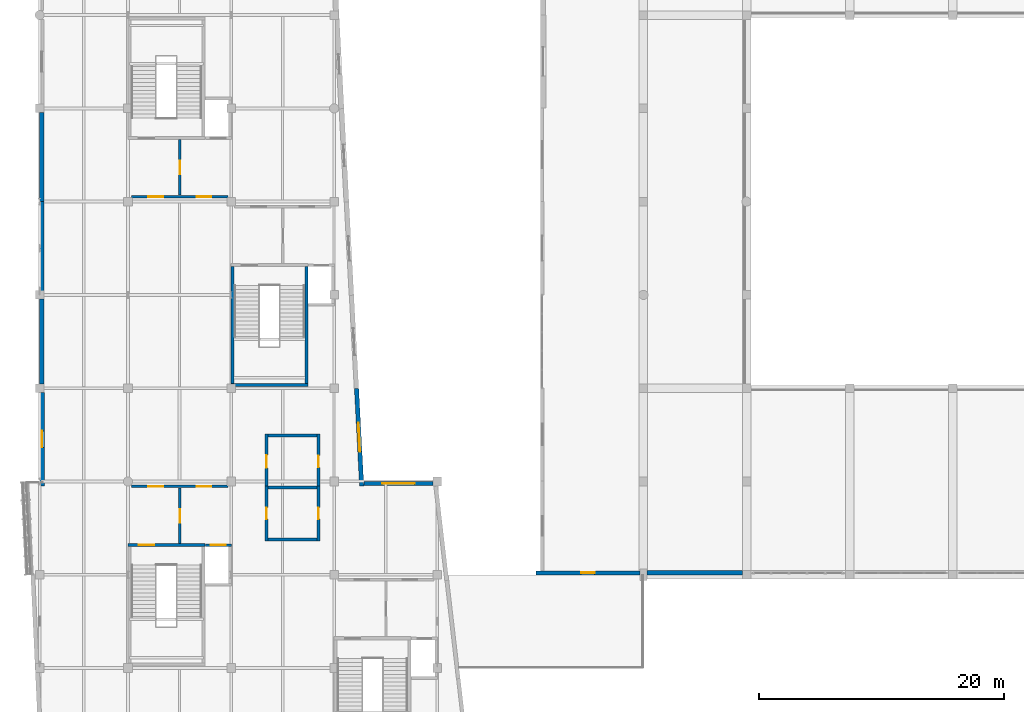
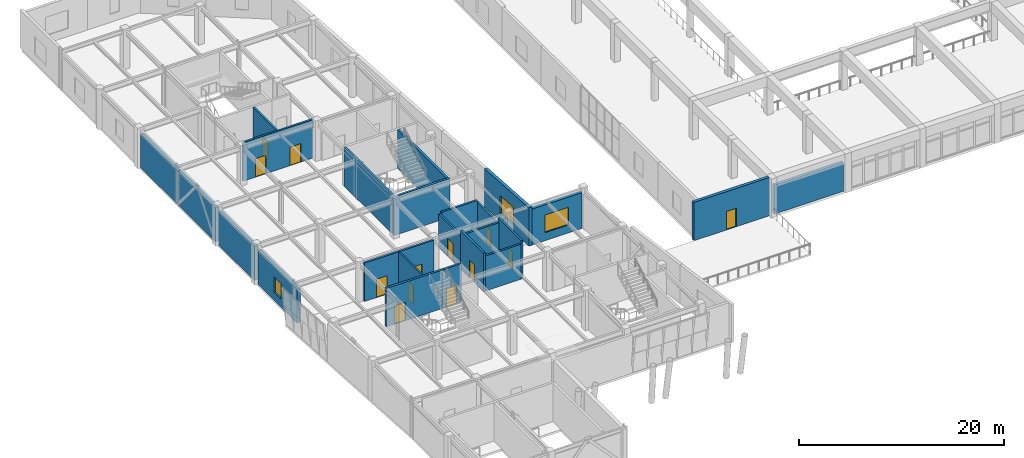
# One storey, part 62 of 72: 24 walls, 13 doors, 3 windows, 16 openings.
"""IFC4 building model written with IfcOpenShell, lengths in metres."""

from ifc_helpers import new_model, si_unit, direction, frame, frame_2d, origin, place, context, subcontext, project, spatial, rectangle, extrude, material, layer, layer_set, type_object, element, fill, save


model = new_model("IFC4")

# Units and contexts
model_context = context("Model", 3, precision=1e-05, world=origin(), true_north=direction((0.0, 1.0)))
body_context = subcontext(model_context, "Body", "Model", "MODEL_VIEW")
ifc_project = project(units=[si_unit("LENGTHUNIT", "METRE"), si_unit("AREAUNIT", "SQUARE_METRE"), si_unit("VOLUMEUNIT", "CUBIC_METRE"), si_unit("PLANEANGLEUNIT", "RADIAN"), si_unit("MASSUNIT", "GRAM", prefix="KILO")], contexts=[model_context])

# Site, building, storey
site_placement = place(None, origin())
site = spatial("IfcSite", under=ifc_project, at=site_placement, CompositionType="ELEMENT")
building_placement = place(site_placement, origin())
building = spatial("IfcBuilding", under=site, at=building_placement, Name="Xicomal Pleat Aquarium", CompositionType="ELEMENT")
storey_placement = place(building_placement, frame((0.0, 0.0, 10.5)))
storey = spatial("IfcBuildingStorey", under=building, at=storey_placement, Name="L03", CompositionType="ELEMENT", Elevation=10.5)

# Wall, opening, door
ifc_material_1 = material(Name="Concrete C40/50", Category="concrete")
ifc_layer_1 = layer(ifc_material_1, 0.219970703125)
ifc_layer_set_1 = layer_set([ifc_layer_1], Name="Concrete C40/50")
wall_type_1 = type_object("IfcWallType", Name="WAL-COR-220", PredefinedType="SHEAR", material=ifc_layer_set_1)
wall_1_placement = place(storey_placement, frame((16.5, 32.81005859375, 0.0), z_axis=(0.0, 0.0, 1.0), x_axis=(1.0, 0.0, 0.0)))
wall_1 = element("IfcWall", 1, at=wall_1_placement, inside=storey, type_object=wall_type_1, Name="L03 LF-01 lift shaft wall CW-L03-C1-LN", PredefinedType="SHEAR", context=body_context, shape_type="SweptSolid", body=[
    extrude(rectangle(XDim=2.1201171875, YDim=0.219970703125, at=frame_2d((1.06005859375, 0.0))), origin(), (0.0, 0.0, 1.0), 4.574951171875),
])
opening_1_placement = place(wall_1_placement, frame((0.4599609375, 0.0, 0.0)))
opening_1 = element("IfcOpeningElement", 2, at=opening_1_placement, cuts=wall_1, Name="Opening LD-01-L03", PredefinedType="OPENING", context=body_context, shape_type="SweptSolid", body=[
    extrude(rectangle(XDim=1.199951171875, YDim=2.199951171875, at=frame_2d((0.60009765625, 1.10009765625))), frame((0.0, 0.119873046875, 0.0), z_axis=(0.0, -1.0, 0.0), x_axis=(1.0, 0.0, 0.0)), (0.0, 0.0, 1.0), 0.239990234375),
])
ifc_material_2 = material(Name="Brushed stainless steel 304", Category="steel")
door_type_1 = type_object("IfcDoorType", Name="DOR-LD-1200x2200", OperationType="DOUBLE_DOOR_SLIDING", PredefinedType="DOOR", material=ifc_material_2)
door_1_placement = place(opening_1_placement, origin())
door_1 = element("IfcDoor", 3, at=door_1_placement, inside=storey, type_object=door_type_1, Name="L03 LF-01 sliding lift landing door", OperationType="DOUBLE_DOOR_SLIDING", OverallHeight=2.199951171875, OverallWidth=1.199951171875, PredefinedType="DOOR", context=body_context, shape_type="SweptSolid", body=[
    extrude(rectangle(XDim=1.199951171875, YDim=2.199951171875, at=frame_2d((0.60009765625, 1.10009765625))), frame((0.0, 0.02490234375, 0.0), z_axis=(0.0, -1.0, 0.0), x_axis=(1.0, 0.0, 0.0)), (0.0, 0.0, 1.0), 0.050048828125),
])
fill(opening_1, door_1)

ifc_material_3 = material(Name="Concrete C40/50", Category="concrete")
ifc_layer_2 = layer(ifc_material_3, 0.25)
ifc_layer_set_2 = layer_set([ifc_layer_2], Name="Concrete C40/50")
wall_type_2 = type_object("IfcWallType", Name="WAL-COR-250", PredefinedType="SHEAR", material=ifc_layer_set_2)
wall_2_placement = place(storey_placement, frame((10.18994140625, 32.824951171875, 0.0), z_axis=(0.0, 0.0, 1.0), x_axis=(1.0, 0.0, 0.0)))
wall_2 = element("IfcWall", 4, at=wall_2_placement, inside=storey, type_object=wall_type_2, Name="L03 CORE-1 stair shear wall CW-L03-C1-SN", PredefinedType="SHEAR", context=body_context, shape_type="SweptSolid", body=[
    extrude(rectangle(XDim=6.280029296875, YDim=0.25, at=frame_2d((3.14013671875, 0.0))), origin(), (0.0, 0.0, 1.0), 4.574951171875),
])
opening_2_placement = place(wall_2_placement, frame((0.89990234375, 0.0, 0.0)))
opening_2 = element("IfcOpeningElement", 5, at=opening_2_placement, cuts=wall_2, Name="Opening SD-01-L03", PredefinedType="OPENING", context=body_context, shape_type="SweptSolid", body=[
    extrude(rectangle(XDim=1.25, YDim=2.199951171875, at=frame_2d((0.625, 1.10009765625))), frame((0.0, 0.135009765625, 0.0), z_axis=(0.0, -1.0, 0.0), x_axis=(1.0, 0.0, 0.0)), (0.0, 0.0, 1.0), 0.27001953125),
])
ifc_material_4 = material(Name="Powder-coated steel fire door", Category="steel")
door_type_2 = type_object("IfcDoorType", Name="DOR-ST-1250x2200", OperationType="NOTDEFINED", PredefinedType="DOOR", material=ifc_material_4)
door_2_placement = place(opening_2_placement, origin())
door_2 = element("IfcDoor", 6, at=door_2_placement, inside=storey, type_object=door_type_2, Name="L03 ST-01 protected stair door", OperationType="SINGLE_SWING_LEFT", OverallHeight=2.199951171875, OverallWidth=1.25, PredefinedType="DOOR", context=body_context, shape_type="SweptSolid", body=[
    extrude(rectangle(XDim=1.25, YDim=2.199951171875, at=frame_2d((0.625, 1.10009765625))), frame((0.0, 0.02490234375, 0.0), z_axis=(0.0, -1.0, 0.0), x_axis=(1.0, 0.0, 0.0)), (0.0, 0.0, 1.0), 0.050048828125),
])
fill(opening_2, door_2)

# Walls
wall_3_placement = place(storey_placement, frame((18.590087890625, 45.875, 0.0), z_axis=(0.0, 0.0, 1.0), x_axis=(1.0, 0.0, 0.0)))
element("IfcWall", 7, at=wall_3_placement, inside=storey, type_object=wall_type_2, Name="L03 CORE-4 stair shear wall CW-L03-C4-SS", PredefinedType="SHEAR", context=body_context, shape_type="SweptSolid", body=[
    extrude(rectangle(XDim=6.280029296875, YDim=0.25, at=frame_2d((3.14013671875, 0.0))), origin(), (0.0, 0.0, 1.0), 4.590087890625),
])
for number, where, z_axis, x_axis, name in (
    (8, (18.715087890625, 46.0, 0.0), (0.0, 0.0, 1.0), (0.0, 1.0, 0.0), "L03 CORE-4 stair shear wall CW-L03-C4-SW"),
    (9, (24.7451171875, 46.0, 0.0), (0.0, 0.0, 1.0), (0.0, 1.0, 0.0), "L03 CORE-4 stair shear wall CW-L03-C4-SE"),
):
    element("IfcWall", number, at=place(storey_placement, frame(where, z_axis=z_axis, x_axis=x_axis)), inside=storey, type_object=wall_type_2, Name=name, PredefinedType="SHEAR", context=body_context, shape_type="SweptSolid", body=[
        extrude(rectangle(XDim=9.5, YDim=0.25, at=frame_2d((4.75, 0.0))), origin(), (0.0, 0.0, 1.0), 4.590087890625),
    ])
ifc_material_5 = material(Name="Volcanic basalt recinto masonry and concrete C40/50", Category="masonry")
ifc_layer_3 = layer(ifc_material_5, 0.35009765625)
ifc_layer_set_3 = layer_set([ifc_layer_3], Name="Volcanic basalt recinto masonry and concrete C40/50")
wall_type_3 = type_object("IfcWallType", Name="WAL-EXT-BAS-350", PredefinedType="SOLIDWALL", material=ifc_layer_set_3)
wall_4_placement = place(storey_placement, frame((3.175048828125, 60.820068359375, 0.0), z_axis=(0.0, 0.0, 1.0), x_axis=(0.0, 1.0, 0.0)))
element("IfcWall", 10, at=wall_4_placement, inside=storey, type_object=wall_type_3, Name="L03 exterior basalt-precast wall EW-L03-067", PredefinedType="SOLIDWALL", context=body_context, shape_type="SweptSolid", body=[
    extrude(rectangle(XDim=7.244873046875, YDim=0.35009765625, at=frame_2d((3.62255859375, 0.0))), origin(), (0.0, 0.0, 1.0), 4.041015625),
])

# Wall, opening, window
wall_5_placement = place(storey_placement, frame((28.825927734375, 45.570068359375, 0.0), z_axis=(0.0, 0.0, 1.0), x_axis=(0.05257495145, -0.998616980869, 0.0)))
wall_5 = element("IfcWall", 11, at=wall_5_placement, inside=storey, type_object=wall_type_3, Name="L03 exterior basalt-precast wall EW-L03-080", PredefinedType="SOLIDWALL", context=body_context, shape_type="SweptSolid", body=[
    extrude(rectangle(XDim=7.949951171875, YDim=0.35009765625, at=frame_2d((3.97509765625, 0.0))), origin(), (0.0, 0.0, 1.0), 4.56005859375),
])
opening_3_placement = place(wall_5_placement, frame((2.800048828125, 0.0, 0.949951171875)))
opening_3 = element("IfcOpeningElement", 12, at=opening_3_placement, cuts=wall_5, Name="Opening WN-22", PredefinedType="OPENING", context=body_context, shape_type="SweptSolid", body=[
    extrude(rectangle(XDim=2.35009765625, YDim=2.050048828125, at=frame_2d((1.175048828125, 1.02490234375))), frame((0.0, 0.18505859375, 0.0), z_axis=(0.0, -1.0, 0.0), x_axis=(1.0, 0.0, 0.0)), (0.0, 0.0, 1.0), 0.3701171875),
])
ifc_material_6 = material(Name="Insulated low-E laminated glass", Category="glass")
window_type_1 = type_object("IfcWindowType", Name="WIN-EXT-2350x2050", PartitioningType="DOUBLE_PANEL_VERTICAL", PredefinedType="WINDOW", material=ifc_material_6)
window_1_placement = place(opening_3_placement, origin())
window_1 = element("IfcWindow", 13, at=window_1_placement, inside=storey, type_object=window_type_1, Name="L03 thermally broken low-E window 46", OverallHeight=2.050048828125, OverallWidth=2.35009765625, PartitioningType="SINGLE_PANEL", PredefinedType="WINDOW", context=body_context, shape_type="SweptSolid", body=[
    extrude(rectangle(XDim=2.35009765625, YDim=2.050048828125, at=frame_2d((1.175048828125, 1.02490234375))), frame((0.0, 0.030029296875, 0.0), z_axis=(0.0, -1.0, 0.0), x_axis=(1.0, 0.0, 0.0)), (0.0, 0.0, 1.0), 0.06005859375),
])
fill(opening_3, window_1)

# Walls
ifc_material_7 = material(Name="Volcanic basalt recinto masonry and concrete C40/50", Category="masonry")
ifc_layer_4 = layer(ifc_material_7, 0.364990234375)
ifc_layer_set_4 = layer_set([ifc_layer_4], Name="Volcanic basalt recinto masonry and concrete C40/50")
wall_type_4 = type_object("IfcWallType", Name="WAL-EXT-BAS-365", PredefinedType="SOLIDWALL", material=ifc_layer_set_4)
wall_6_placement = place(storey_placement, frame((3.18310546875, 53.534912109375, 0.0), z_axis=(0.0, 0.0, 1.0), x_axis=(0.0, 1.0, 0.0)))
element("IfcWall", 14, at=wall_6_placement, inside=storey, type_object=wall_type_4, Name="L03 exterior basalt-precast wall EW-L03-066", PredefinedType="SOLIDWALL", context=body_context, shape_type="SweptSolid", body=[
    extrude(rectangle(XDim=7.28515625, YDim=0.364990234375, at=frame_2d((3.642578125, 0.0))), origin(), (0.0, 0.0, 1.0), 4.041015625),
])
ifc_material_8 = material(Name="Volcanic basalt recinto masonry and concrete C40/50", Category="masonry")
ifc_layer_5 = layer(ifc_material_8, 0.3798828125)
ifc_layer_set_5 = layer_set([ifc_layer_5], Name="Volcanic basalt recinto masonry and concrete C40/50")
wall_type_5 = type_object("IfcWallType", Name="WAL-EXT-BAS-380", PredefinedType="SOLIDWALL", material=ifc_layer_set_5)
wall_7_placement = place(storey_placement, frame((3.18994140625, 45.93505859375, 0.0), z_axis=(0.0, 0.0, 1.0), x_axis=(0.0, 1.0, 0.0)))
element("IfcWall", 15, at=wall_7_placement, inside=storey, type_object=wall_type_5, Name="L03 exterior basalt-precast wall EW-L03-065", PredefinedType="SOLIDWALL", context=body_context, shape_type="SweptSolid", body=[
    extrude(rectangle(XDim=6.929931640625, YDim=0.3798828125, at=frame_2d((3.46484375, 0.0))), origin(), (0.0, 0.0, 1.0), 4.041015625),
])

# Wall, opening, window
ifc_material_9 = material(Name="Volcanic basalt recinto masonry and concrete C40/50", Category="masonry")
ifc_layer_6 = layer(ifc_material_9, 0.39990234375)
ifc_layer_set_6 = layer_set([ifc_layer_6], Name="Volcanic basalt recinto masonry and concrete C40/50")
wall_type_6 = type_object("IfcWallType", Name="WAL-EXT-BAS-400", PredefinedType="SOLIDWALL", material=ifc_layer_set_6)
wall_8_placement = place(storey_placement, frame((3.199951171875, 37.639892578125, 0.0), z_axis=(0.0, 0.0, 1.0), x_axis=(0.0, 1.0, 0.0)))
wall_8 = element("IfcWall", 16, at=wall_8_placement, inside=storey, type_object=wall_type_6, Name="L03 exterior basalt-precast wall EW-L03-064", PredefinedType="SOLIDWALL", context=body_context, shape_type="SweptSolid", body=[
    extrude(rectangle(XDim=7.625, YDim=0.39990234375, at=frame_2d((3.8125, 0.0))), origin(), (0.0, 0.0, 1.0), 4.041015625),
])
opening_4_placement = place(wall_8_placement, frame((3.137939453125, 0.0, 0.949951171875)))
opening_4 = element("IfcOpeningElement", 17, at=opening_4_placement, cuts=wall_8, Name="Opening WN-09", PredefinedType="OPENING", context=body_context, shape_type="SweptSolid", body=[
    extrude(rectangle(XDim=1.35009765625, YDim=1.85009765625, at=frame_2d((0.675048828125, 0.925048828125))), frame((0.0, 0.2099609375, 0.0), z_axis=(0.0, -1.0, 0.0), x_axis=(1.0, 0.0, 0.0)), (0.0, 0.0, 1.0), 0.419921875),
])
ifc_material_10 = material(Name="Insulated low-E laminated glass", Category="glass")
window_type_2 = type_object("IfcWindowType", Name="WIN-EXT-1350x1850", PartitioningType="SINGLE_PANEL", PredefinedType="WINDOW", material=ifc_material_10)
window_2_placement = place(opening_4_placement, origin())
window_2 = element("IfcWindow", 18, at=window_2_placement, inside=storey, type_object=window_type_2, Name="L03 thermally broken low-E window 33", OverallHeight=1.85009765625, OverallWidth=1.35009765625, PartitioningType="SINGLE_PANEL", PredefinedType="WINDOW", context=body_context, shape_type="SweptSolid", body=[
    extrude(rectangle(XDim=1.35009765625, YDim=1.85009765625, at=frame_2d((0.675048828125, 0.925048828125))), frame((0.0, 0.030029296875, 0.0), z_axis=(0.0, -1.0, 0.0), x_axis=(1.0, 0.0, 0.0)), (0.0, 0.0, 1.0), 0.06005859375),
])
fill(opening_4, window_2)

# Wall, opening, door
ifc_material_11 = material(Name="Precast concrete C40/50", Category="concrete")
ifc_layer_7 = layer(ifc_material_11, 0.324951171875)
ifc_layer_set_7 = layer_set([ifc_layer_7], Name="Precast concrete C40/50")
wall_type_7 = type_object("IfcWallType", Name="WAL-EXT-PRC-325", PredefinedType="SOLIDWALL", material=ifc_layer_set_7)
wall_9_placement = place(storey_placement, frame((51.9150390625, 30.56201171875, 0.0), z_axis=(0.0, 0.0, 1.0), x_axis=(-1.0, 0.0, 0.0)))
wall_9 = element("IfcWall", 19, at=wall_9_placement, inside=storey, type_object=wall_type_7, Name="L03 exterior basalt-precast wall EW-L03-043", PredefinedType="SOLIDWALL", context=body_context, shape_type="SweptSolid", body=[
    extrude(rectangle(XDim=8.47509765625, YDim=0.324951171875, at=frame_2d((4.237548828125, 0.0))), origin(), (0.0, 0.0, 1.0), 4.56005859375),
])
opening_5_placement = place(wall_9_placement, frame((3.68798828125, 0.0, 0.0)))
opening_5 = element("IfcOpeningElement", 20, at=opening_5_placement, cuts=wall_9, Name="Opening TD-L03-02", PredefinedType="OPENING", context=body_context, shape_type="SweptSolid", body=[
    extrude(rectangle(XDim=1.10009765625, YDim=2.199951171875, at=frame_2d((0.550048828125, 1.10009765625))), frame((0.0, 0.17236328125, 0.0), z_axis=(0.0, -1.0, 0.0), x_axis=(1.0, 0.0, 0.0)), (0.0, 0.0, 1.0), 0.344970703125),
])
ifc_material_12 = material(Name="Bronze anodized aluminium and laminated safety glass", Category="aluminium")
door_type_3 = type_object("IfcDoorType", Name="DOR-TER-1100x2200", OperationType="NOTDEFINED", PredefinedType="DOOR", material=ifc_material_12)
door_3_placement = place(opening_5_placement, origin())
door_3 = element("IfcDoor", 21, at=door_3_placement, inside=storey, type_object=door_type_3, Name="L03 outdoor court terrace door 2", OperationType="SINGLE_SWING_LEFT", OverallHeight=2.199951171875, OverallWidth=1.10009765625, PredefinedType="DOOR", context=body_context, shape_type="SweptSolid", body=[
    extrude(rectangle(XDim=1.10009765625, YDim=2.199951171875, at=frame_2d((0.550048828125, 1.10009765625))), frame((0.0, 0.02490234375, 0.0), z_axis=(0.0, -1.0, 0.0), x_axis=(1.0, 0.0, 0.0)), (0.0, 0.0, 1.0), 0.050048828125),
])
fill(opening_5, door_3)

# Wall
ifc_material_13 = material(Name="Precast concrete C40/50", Category="concrete")
ifc_layer_8 = layer(ifc_material_13, 0.340087890625)
ifc_layer_set_8 = layer_set([ifc_layer_8], Name="Precast concrete C40/50")
wall_type_8 = type_object("IfcWallType", Name="WAL-EXT-PRC-340", PredefinedType="SOLIDWALL", material=ifc_layer_set_8)
wall_10_placement = place(storey_placement, frame((60.264892578125, 30.570068359375, 0.0), z_axis=(0.0, 0.0, 1.0), x_axis=(-1.0, 0.0, 0.0)))
element("IfcWall", 22, at=wall_10_placement, inside=storey, type_object=wall_type_8, Name="L03 exterior basalt-precast wall EW-L03-042", PredefinedType="SOLIDWALL", context=body_context, shape_type="SweptSolid", body=[
    extrude(rectangle(XDim=7.77978515625, YDim=0.340087890625, at=frame_2d((3.889892578125, 0.0))), origin(), (0.0, 0.0, 1.0), 3.425048828125),
])

# Wall, opening, window
wall_11_placement = place(storey_placement, frame((29.4140625, 37.830078125, 0.0), z_axis=(0.0, 0.0, 1.0), x_axis=(1.0, 0.0, 0.0)))
wall_11 = element("IfcWall", 23, at=wall_11_placement, inside=storey, type_object=wall_type_8, Name="L03 exterior basalt-precast wall EW-L03-081B", PredefinedType="SOLIDWALL", context=body_context, shape_type="SweptSolid", body=[
    extrude(rectangle(XDim=5.65087890625, YDim=0.340087890625, at=frame_2d((2.825439453125, 0.0))), origin(), (0.0, 0.0, 1.0), 4.27001953125),
])
opening_6_placement = place(wall_11_placement, frame((1.5, 0.0, 0.949951171875)))
opening_6 = element("IfcOpeningElement", 24, at=opening_6_placement, cuts=wall_11, Name="Opening WN-23", PredefinedType="OPENING", context=body_context, shape_type="SweptSolid", body=[
    extrude(rectangle(XDim=2.64990234375, YDim=2.10009765625, at=frame_2d((1.324951171875, 1.050048828125))), frame((0.0, 0.179931640625, 0.0), z_axis=(0.0, -1.0, 0.0), x_axis=(1.0, 0.0, 0.0)), (0.0, 0.0, 1.0), 0.360107421875),
])
ifc_material_14 = material(Name="Insulated low-E laminated glass", Category="glass")
window_type_3 = type_object("IfcWindowType", Name="WIN-EXT-2650x2100", PartitioningType="DOUBLE_PANEL_VERTICAL", PredefinedType="WINDOW", material=ifc_material_14)
window_3_placement = place(opening_6_placement, origin())
window_3 = element("IfcWindow", 25, at=window_3_placement, inside=storey, type_object=window_type_3, Name="L03 thermally broken low-E window 47", OverallHeight=2.10009765625, OverallWidth=2.64990234375, PartitioningType="SINGLE_PANEL", PredefinedType="WINDOW", context=body_context, shape_type="SweptSolid", body=[
    extrude(rectangle(XDim=2.64990234375, YDim=2.10009765625, at=frame_2d((1.324951171875, 1.050048828125))), frame((0.0, 0.030029296875, 0.0), z_axis=(0.0, -1.0, 0.0), x_axis=(1.0, 0.0, 0.0)), (0.0, 0.0, 1.0), 0.06005859375),
])
fill(opening_6, window_3)

# Wall, opening, door
ifc_material_15 = material(Name="Water-resistant cement-board wet-lab partition", Category="gypsum")
ifc_layer_9 = layer(ifc_material_15, 0.22998046875)
ifc_layer_set_9 = layer_set([ifc_layer_9], Name="Water-resistant cement-board wet-lab partition")
wall_type_9 = type_object("IfcWallType", Name="WAL-PLB-230", PredefinedType="PLUMBINGWALL", material=ifc_layer_set_9)
wall_12_placement = place(storey_placement, frame((21.485107421875, 33.169921875, 0.0), z_axis=(0.0, 0.0, 1.0), x_axis=(0.0, 1.0, 0.0)))
wall_12 = element("IfcWall", 26, at=wall_12_placement, inside=storey, type_object=wall_type_9, Name="L03 enclosed toilet partition PT-L03-051", PredefinedType="PLUMBINGWALL", context=body_context, shape_type="SweptSolid", body=[
    extrude(rectangle(XDim=4.4599609375, YDim=0.22998046875, at=frame_2d((2.22998046875, 0.0))), origin(), (0.0, 0.0, 1.0), 4.574951171875),
])
opening_7_placement = place(wall_12_placement, frame((1.7548828125, 0.0, 0.0)))
opening_7 = element("IfcOpeningElement", 27, at=opening_7_placement, cuts=wall_12, Name="Opening DR-L03-028", PredefinedType="OPENING", context=body_context, shape_type="SweptSolid", body=[
    extrude(rectangle(XDim=0.949951171875, YDim=2.10009765625, at=frame_2d((0.47509765625, 1.050048828125))), frame((0.0, 0.125, 0.0), z_axis=(0.0, -1.0, 0.0), x_axis=(1.0, 0.0, 0.0)), (0.0, 0.0, 1.0), 0.25),
])
ifc_material_16 = material(Name="Solid-core hardwood and anodized aluminium frame", Category="wood")
door_type_4 = type_object("IfcDoorType", Name="DOR-WC-0950x2100", OperationType="NOTDEFINED", PredefinedType="DOOR", material=ifc_material_16)
door_4_placement = place(opening_7_placement, origin())
door_4 = element("IfcDoor", 28, at=door_4_placement, inside=storey, type_object=door_type_4, Name="L03 Public Toilet door DR-L03-028", OperationType="SINGLE_SWING_LEFT", OverallHeight=2.10009765625, OverallWidth=0.949951171875, PredefinedType="DOOR", context=body_context, shape_type="SweptSolid", body=[
    extrude(rectangle(XDim=0.949951171875, YDim=2.10009765625, at=frame_2d((0.47509765625, 1.050048828125))), frame((0.0, 0.02490234375, 0.0), z_axis=(0.0, -1.0, 0.0), x_axis=(1.0, 0.0, 0.0)), (0.0, 0.0, 1.0), 0.050048828125),
])
fill(opening_7, door_4)

wall_13_placement = place(storey_placement, frame((25.715087890625, 33.169921875, 0.0), z_axis=(0.0, 0.0, 1.0), x_axis=(0.0, 1.0, 0.0)))
wall_13 = element("IfcWall", 29, at=wall_13_placement, inside=storey, type_object=wall_type_9, Name="L03 enclosed toilet partition PT-L03-052", PredefinedType="PLUMBINGWALL", context=body_context, shape_type="SweptSolid", body=[
    extrude(rectangle(XDim=4.4599609375, YDim=0.22998046875, at=frame_2d((2.22998046875, 0.0))), origin(), (0.0, 0.0, 1.0), 4.574951171875),
])
opening_8_placement = place(wall_13_placement, frame((1.7548828125, 0.0, 0.0)))
opening_8 = element("IfcOpeningElement", 30, at=opening_8_placement, cuts=wall_13, Name="Opening DR-L03-030", PredefinedType="OPENING", context=body_context, shape_type="SweptSolid", body=[
    extrude(rectangle(XDim=0.949951171875, YDim=2.10009765625, at=frame_2d((0.47509765625, 1.050048828125))), frame((0.0, 0.125, 0.0), z_axis=(0.0, -1.0, 0.0), x_axis=(1.0, 0.0, 0.0)), (0.0, 0.0, 1.0), 0.25),
])
door_5_placement = place(opening_8_placement, origin())
door_5 = element("IfcDoor", 31, at=door_5_placement, inside=storey, type_object=door_type_4, Name="L03 Water Chemistry Research Laboratory door DR-L03-030", OperationType="SINGLE_SWING_LEFT", OverallHeight=2.10009765625, OverallWidth=0.949951171875, PredefinedType="DOOR", context=body_context, shape_type="SweptSolid", body=[
    extrude(rectangle(XDim=0.949951171875, YDim=2.10009765625, at=frame_2d((0.47509765625, 1.050048828125))), frame((0.0, 0.02490234375, 0.0), z_axis=(0.0, -1.0, 0.0), x_axis=(1.0, 0.0, 0.0)), (0.0, 0.0, 1.0), 0.050048828125),
])
fill(opening_8, door_5)

# Walls
for number, where, z_axis, x_axis, name in (
    (32, (21.60009765625, 33.284912109375, 0.0), (0.0, 0.0, 1.0), (1.0, 0.0, 0.0), "L03 enclosed toilet partition PT-L03-053"),
    (33, (21.60009765625, 37.514892578125, 0.0), (0.0, 0.0, 1.0), (1.0, 0.0, 0.0), "L03 enclosed toilet partition PT-L03-054"),
):
    element("IfcWall", number, at=place(storey_placement, frame(where, z_axis=z_axis, x_axis=x_axis)), inside=storey, type_object=wall_type_9, Name=name, PredefinedType="PLUMBINGWALL", context=body_context, shape_type="SweptSolid", body=[
        extrude(rectangle(XDim=4.0, YDim=0.22998046875, at=frame_2d((2.0, 0.0))), origin(), (0.0, 0.0, 1.0), 4.153076171875),
    ])

# Wall, opening, door
wall_14_placement = place(storey_placement, frame((21.485107421875, 37.39990234375, 0.0), z_axis=(0.0, 0.0, 1.0), x_axis=(0.0, 1.0, 0.0)))
wall_14 = element("IfcWall", 34, at=wall_14_placement, inside=storey, type_object=wall_type_9, Name="L03 enclosed toilet partition PT-L03-055", PredefinedType="PLUMBINGWALL", context=body_context, shape_type="SweptSolid", body=[
    extrude(rectangle(XDim=4.460205078125, YDim=0.22998046875, at=frame_2d((2.22998046875, 0.0))), origin(), (0.0, 0.0, 1.0), 3.952880859375),
])
opening_9_placement = place(wall_14_placement, frame((1.705078125, 0.0, 0.0)))
opening_9 = element("IfcOpeningElement", 35, at=opening_9_placement, cuts=wall_14, Name="Opening DR-L03-029", PredefinedType="OPENING", context=body_context, shape_type="SweptSolid", body=[
    extrude(rectangle(XDim=1.050048828125, YDim=2.10009765625, at=frame_2d((0.52490234375, 1.050048828125))), frame((0.0, 0.125, 0.0), z_axis=(0.0, -1.0, 0.0), x_axis=(1.0, 0.0, 0.0)), (0.0, 0.0, 1.0), 0.25),
])
ifc_material_17 = material(Name="Solid-core hardwood and anodized aluminium frame", Category="wood")
door_type_5 = type_object("IfcDoorType", Name="DOR-AWC-1050x2100", OperationType="NOTDEFINED", PredefinedType="DOOR", material=ifc_material_17)
door_6_placement = place(opening_9_placement, origin())
door_6 = element("IfcDoor", 36, at=door_6_placement, inside=storey, type_object=door_type_5, Name="L03 Accessible Toilet door DR-L03-029", OperationType="SINGLE_SWING_RIGHT", OverallHeight=2.10009765625, OverallWidth=1.050048828125, PredefinedType="DOOR", context=body_context, shape_type="SweptSolid", body=[
    extrude(rectangle(XDim=1.050048828125, YDim=2.10009765625, at=frame_2d((0.52490234375, 1.050048828125))), frame((0.0, 0.02490234375, 0.0), z_axis=(0.0, -1.0, 0.0), x_axis=(1.0, 0.0, 0.0)), (0.0, 0.0, 1.0), 0.050048828125),
])
fill(opening_9, door_6)

wall_15_placement = place(storey_placement, frame((25.715087890625, 37.39990234375, 0.0), z_axis=(0.0, 0.0, 1.0), x_axis=(0.0, 1.0, 0.0)))
wall_15 = element("IfcWall", 37, at=wall_15_placement, inside=storey, type_object=wall_type_9, Name="L03 enclosed toilet partition PT-L03-056", PredefinedType="PLUMBINGWALL", context=body_context, shape_type="SweptSolid", body=[
    extrude(rectangle(XDim=4.460205078125, YDim=0.22998046875, at=frame_2d((2.22998046875, 0.0))), origin(), (0.0, 0.0, 1.0), 3.952880859375),
])
opening_10_placement = place(wall_15_placement, frame((1.7548828125, 0.0, 0.0)))
opening_10 = element("IfcOpeningElement", 38, at=opening_10_placement, cuts=wall_15, Name="Opening DR-L03-031", PredefinedType="OPENING", context=body_context, shape_type="SweptSolid", body=[
    extrude(rectangle(XDim=0.949951171875, YDim=2.10009765625, at=frame_2d((0.47509765625, 1.050048828125))), frame((0.0, 0.125, 0.0), z_axis=(0.0, -1.0, 0.0), x_axis=(1.0, 0.0, 0.0)), (0.0, 0.0, 1.0), 0.25),
])
door_7_placement = place(opening_10_placement, origin())
door_7 = element("IfcDoor", 39, at=door_7_placement, inside=storey, type_object=door_type_4, Name="L03 Cloud-Forest Canopy Exhibit Gallery door DR-L03-031", OperationType="SINGLE_SWING_RIGHT", OverallHeight=2.10009765625, OverallWidth=0.949951171875, PredefinedType="DOOR", context=body_context, shape_type="SweptSolid", body=[
    extrude(rectangle(XDim=0.949951171875, YDim=2.10009765625, at=frame_2d((0.47509765625, 1.050048828125))), frame((0.0, 0.02490234375, 0.0), z_axis=(0.0, -1.0, 0.0), x_axis=(1.0, 0.0, 0.0)), (0.0, 0.0, 1.0), 0.050048828125),
])
fill(opening_10, door_7)

# Wall
wall_16_placement = place(storey_placement, frame((21.60009765625, 41.7451171875, 0.0), z_axis=(0.0, 0.0, 1.0), x_axis=(1.0, 0.0, 0.0)))
element("IfcWall", 40, at=wall_16_placement, inside=storey, type_object=wall_type_9, Name="L03 enclosed toilet partition PT-L03-057", PredefinedType="PLUMBINGWALL", context=body_context, shape_type="SweptSolid", body=[
    extrude(rectangle(XDim=4.0, YDim=0.22998046875, at=frame_2d((2.0, 0.0))), origin(), (0.0, 0.0, 1.0), 4.23095703125),
])

# Wall, opening, door
ifc_material_18 = material(Name="Acoustic double-stud drywall partition", Category="gypsum")
ifc_layer_10 = layer(ifc_material_18, 0.195068359375)
ifc_layer_set_10 = layer_set([ifc_layer_10], Name="Acoustic double-stud drywall partition")
wall_type_10 = type_object("IfcWallType", Name="WAL-PRT-195", PredefinedType="PARTITIONING", material=ifc_layer_set_10)
wall_17_placement = place(storey_placement, frame((14.425048828125, 32.949951171875, 0.0), z_axis=(0.0, 0.0, 1.0), x_axis=(0.0, 1.0, 0.0)))
wall_17 = element("IfcWall", 41, at=wall_17_placement, inside=storey, type_object=wall_type_10, Name="L03 firefighting lobby smoke divider 1", PredefinedType="PARTITIONING", context=body_context, shape_type="SweptSolid", body=[
    extrude(rectangle(XDim=4.5, YDim=0.195068359375, at=frame_2d((2.25, 0.0))), origin(), (0.0, 0.0, 1.0), 4.574951171875),
])
opening_11_placement = place(wall_17_placement, frame((1.699951171875, 0.0, 0.0)))
opening_11 = element("IfcOpeningElement", 42, at=opening_11_placement, cuts=wall_17, Name="Opening FD-01C-L03", PredefinedType="OPENING", context=body_context, shape_type="SweptSolid", body=[
    extrude(rectangle(XDim=1.10009765625, YDim=2.14990234375, at=frame_2d((0.550048828125, 1.074951171875))), frame((0.0, 0.107421875, 0.0), z_axis=(0.0, -1.0, 0.0), x_axis=(1.0, 0.0, 0.0)), (0.0, 0.0, 1.0), 0.215087890625),
])
ifc_material_19 = material(Name="Powder-coated steel fire door", Category="steel")
door_type_6 = type_object("IfcDoorType", Name="DOR-LAB-1100x2150", OperationType="NOTDEFINED", PredefinedType="DOOR", material=ifc_material_19)
door_8_placement = place(opening_11_placement, origin())
door_8 = element("IfcDoor", 43, at=door_8_placement, inside=storey, type_object=door_type_6, Name="L03 lobby interconnecting fire door 1C", OperationType="SINGLE_SWING_RIGHT", OverallHeight=2.14990234375, OverallWidth=1.10009765625, PredefinedType="DOOR", context=body_context, shape_type="SweptSolid", body=[
    extrude(rectangle(XDim=1.10009765625, YDim=2.14990234375, at=frame_2d((0.550048828125, 1.074951171875))), frame((0.0, 0.02490234375, 0.0), z_axis=(0.0, -1.0, 0.0), x_axis=(1.0, 0.0, 0.0)), (0.0, 0.0, 1.0), 0.050048828125),
])
fill(opening_11, door_8)

wall_18_placement = place(storey_placement, frame((14.425048828125, 61.35009765625, 0.0), z_axis=(0.0, 0.0, 1.0), x_axis=(0.0, 1.0, 0.0)))
wall_18 = element("IfcWall", 44, at=wall_18_placement, inside=storey, type_object=wall_type_10, Name="L03 firefighting lobby smoke divider 3", PredefinedType="PARTITIONING", context=body_context, shape_type="SweptSolid", body=[
    extrude(rectangle(XDim=4.5, YDim=0.195068359375, at=frame_2d((2.25, 0.0))), origin(), (0.0, 0.0, 1.0), 4.590087890625),
])
opening_12_placement = place(wall_18_placement, frame((1.699951171875, 0.0, 0.0)))
opening_12 = element("IfcOpeningElement", 45, at=opening_12_placement, cuts=wall_18, Name="Opening FD-03C-L03", PredefinedType="OPENING", context=body_context, shape_type="SweptSolid", body=[
    extrude(rectangle(XDim=1.10009765625, YDim=2.14990234375, at=frame_2d((0.550048828125, 1.074951171875))), frame((0.0, 0.107421875, 0.0), z_axis=(0.0, -1.0, 0.0), x_axis=(1.0, 0.0, 0.0)), (0.0, 0.0, 1.0), 0.215087890625),
])
door_9_placement = place(opening_12_placement, origin())
door_9 = element("IfcDoor", 46, at=door_9_placement, inside=storey, type_object=door_type_6, Name="L03 lobby interconnecting fire door 3C", OperationType="SINGLE_SWING_RIGHT", OverallHeight=2.14990234375, OverallWidth=1.10009765625, PredefinedType="DOOR", context=body_context, shape_type="SweptSolid", body=[
    extrude(rectangle(XDim=1.10009765625, YDim=2.14990234375, at=frame_2d((0.550048828125, 1.074951171875))), frame((0.0, 0.02490234375, 0.0), z_axis=(0.0, -1.0, 0.0), x_axis=(1.0, 0.0, 0.0)), (0.0, 0.0, 1.0), 0.050048828125),
])
fill(opening_12, door_9)

# Wall, openings, doors
ifc_material_20 = material(Name="Fire-rated gypsum and mineral-wool partition", Category="gypsum")
ifc_layer_11 = layer(ifc_material_20, 0.2099609375)
ifc_layer_set_11 = layer_set([ifc_layer_11], Name="Fire-rated gypsum and mineral-wool partition")
wall_type_11 = type_object("IfcWallType", Name="WAL-PRT-210", PredefinedType="PARTITIONING", material=ifc_layer_set_11)
wall_19_placement = place(storey_placement, frame((10.5, 37.60009765625, 0.0), z_axis=(0.0, 0.0, 1.0), x_axis=(1.0, 0.0, 0.0)))
wall_19 = element("IfcWall", 47, at=wall_19_placement, inside=storey, type_object=wall_type_11, Name="L03 CORE-1 lobby fire enclosure wall", PredefinedType="PARTITIONING", context=body_context, shape_type="SweptSolid", body=[
    extrude(rectangle(XDim=7.85009765625, YDim=0.2099609375, at=frame_2d((3.925048828125, 0.0))), origin(), (0.0, 0.0, 1.0), 4.574951171875),
])
opening_13_placement = place(wall_19_placement, frame((1.362060546875, 0.0, 0.0)))
opening_13 = element("IfcOpeningElement", 48, at=opening_13_placement, cuts=wall_19, Name="Opening FD-01A-L03", PredefinedType="OPENING", context=body_context, shape_type="SweptSolid", body=[
    extrude(rectangle(XDim=1.199951171875, YDim=2.199951171875, at=frame_2d((0.60009765625, 1.10009765625))), frame((0.0, 0.114990234375, 0.0), z_axis=(0.0, -1.0, 0.0), x_axis=(1.0, 0.0, 0.0)), (0.0, 0.0, 1.0), 0.22998046875),
])
opening_14_placement = place(wall_19_placement, frame((5.287109375, 0.0, 0.0)))
opening_14 = element("IfcOpeningElement", 49, at=opening_14_placement, cuts=wall_19, Name="Opening FD-01B-L03", PredefinedType="OPENING", context=body_context, shape_type="SweptSolid", body=[
    extrude(rectangle(XDim=1.199951171875, YDim=2.199951171875, at=frame_2d((0.60009765625, 1.10009765625))), frame((0.0, 0.114990234375, 0.0), z_axis=(0.0, -1.0, 0.0), x_axis=(1.0, 0.0, 0.0)), (0.0, 0.0, 1.0), 0.22998046875),
])
ifc_material_21 = material(Name="Powder-coated steel fire door", Category="steel")
door_type_7 = type_object("IfcDoorType", Name="DOR-FFL-1200x2200", OperationType="NOTDEFINED", PredefinedType="DOOR", material=ifc_material_21)
door_10_placement = place(opening_13_placement, origin())
door_10 = element("IfcDoor", 50, at=door_10_placement, inside=storey, type_object=door_type_7, Name="L03 firefighting lobby door 1A", OperationType="SINGLE_SWING_RIGHT", OverallHeight=2.199951171875, OverallWidth=1.199951171875, PredefinedType="DOOR", context=body_context, shape_type="SweptSolid", body=[
    extrude(rectangle(XDim=1.199951171875, YDim=2.199951171875, at=frame_2d((0.60009765625, 1.10009765625))), frame((0.0, 0.02490234375, 0.0), z_axis=(0.0, -1.0, 0.0), x_axis=(1.0, 0.0, 0.0)), (0.0, 0.0, 1.0), 0.050048828125),
])
fill(opening_13, door_10)
door_11_placement = place(opening_14_placement, origin())
door_11 = element("IfcDoor", 51, at=door_11_placement, inside=storey, type_object=door_type_7, Name="L03 lift lobby door 1B", OperationType="SINGLE_SWING_LEFT", OverallHeight=2.199951171875, OverallWidth=1.199951171875, PredefinedType="DOOR", context=body_context, shape_type="SweptSolid", body=[
    extrude(rectangle(XDim=1.199951171875, YDim=2.199951171875, at=frame_2d((0.60009765625, 1.10009765625))), frame((0.0, 0.02490234375, 0.0), z_axis=(0.0, -1.0, 0.0), x_axis=(1.0, 0.0, 0.0)), (0.0, 0.0, 1.0), 0.050048828125),
])
fill(opening_14, door_11)

wall_20_placement = place(storey_placement, frame((10.5, 61.199951171875, 0.0), z_axis=(0.0, 0.0, 1.0), x_axis=(1.0, 0.0, 0.0)))
wall_20 = element("IfcWall", 52, at=wall_20_placement, inside=storey, type_object=wall_type_11, Name="L03 CORE-3 lobby fire enclosure wall", PredefinedType="PARTITIONING", context=body_context, shape_type="SweptSolid", body=[
    extrude(rectangle(XDim=7.85009765625, YDim=0.2099609375, at=frame_2d((3.925048828125, 0.0))), origin(), (0.0, 0.0, 1.0), 4.590087890625),
])
opening_15_placement = place(wall_20_placement, frame((1.362060546875, 0.0, 0.0)))
opening_15 = element("IfcOpeningElement", 53, at=opening_15_placement, cuts=wall_20, Name="Opening FD-03A-L03", PredefinedType="OPENING", context=body_context, shape_type="SweptSolid", body=[
    extrude(rectangle(XDim=1.199951171875, YDim=2.199951171875, at=frame_2d((0.60009765625, 1.10009765625))), frame((0.0, 0.114990234375, 0.0), z_axis=(0.0, -1.0, 0.0), x_axis=(1.0, 0.0, 0.0)), (0.0, 0.0, 1.0), 0.22998046875),
])
opening_16_placement = place(wall_20_placement, frame((5.287109375, 0.0, 0.0)))
opening_16 = element("IfcOpeningElement", 54, at=opening_16_placement, cuts=wall_20, Name="Opening FD-03B-L03", PredefinedType="OPENING", context=body_context, shape_type="SweptSolid", body=[
    extrude(rectangle(XDim=1.199951171875, YDim=2.199951171875, at=frame_2d((0.60009765625, 1.10009765625))), frame((0.0, 0.114990234375, 0.0), z_axis=(0.0, -1.0, 0.0), x_axis=(1.0, 0.0, 0.0)), (0.0, 0.0, 1.0), 0.22998046875),
])
door_12_placement = place(opening_15_placement, origin())
door_12 = element("IfcDoor", 55, at=door_12_placement, inside=storey, type_object=door_type_7, Name="L03 firefighting lobby door 3A", OperationType="SINGLE_SWING_RIGHT", OverallHeight=2.199951171875, OverallWidth=1.199951171875, PredefinedType="DOOR", context=body_context, shape_type="SweptSolid", body=[
    extrude(rectangle(XDim=1.199951171875, YDim=2.199951171875, at=frame_2d((0.60009765625, 1.10009765625))), frame((0.0, 0.02490234375, 0.0), z_axis=(0.0, -1.0, 0.0), x_axis=(1.0, 0.0, 0.0)), (0.0, 0.0, 1.0), 0.050048828125),
])
fill(opening_15, door_12)
door_13_placement = place(opening_16_placement, origin())
door_13 = element("IfcDoor", 56, at=door_13_placement, inside=storey, type_object=door_type_7, Name="L03 lift lobby door 3B", OperationType="SINGLE_SWING_LEFT", OverallHeight=2.199951171875, OverallWidth=1.199951171875, PredefinedType="DOOR", context=body_context, shape_type="SweptSolid", body=[
    extrude(rectangle(XDim=1.199951171875, YDim=2.199951171875, at=frame_2d((0.60009765625, 1.10009765625))), frame((0.0, 0.02490234375, 0.0), z_axis=(0.0, -1.0, 0.0), x_axis=(1.0, 0.0, 0.0)), (0.0, 0.0, 1.0), 0.050048828125),
])
fill(opening_16, door_13)

save(model, "model.ifc")
